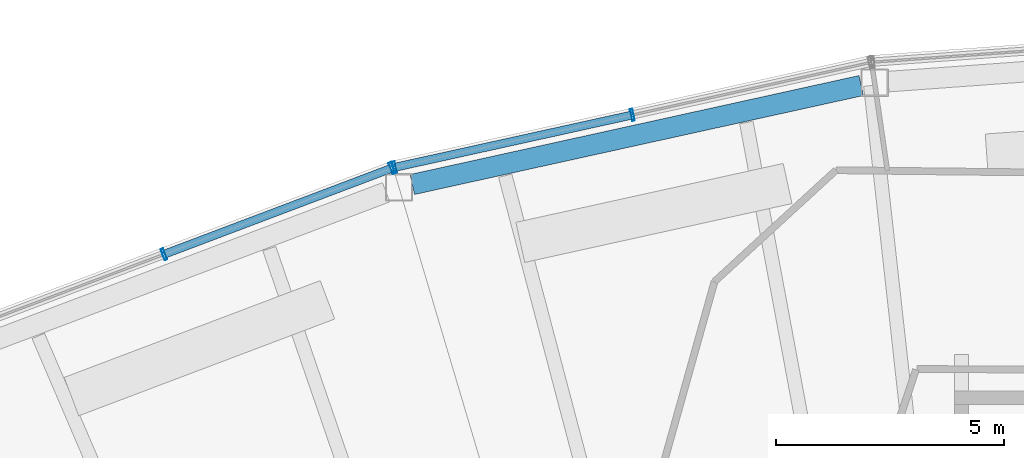
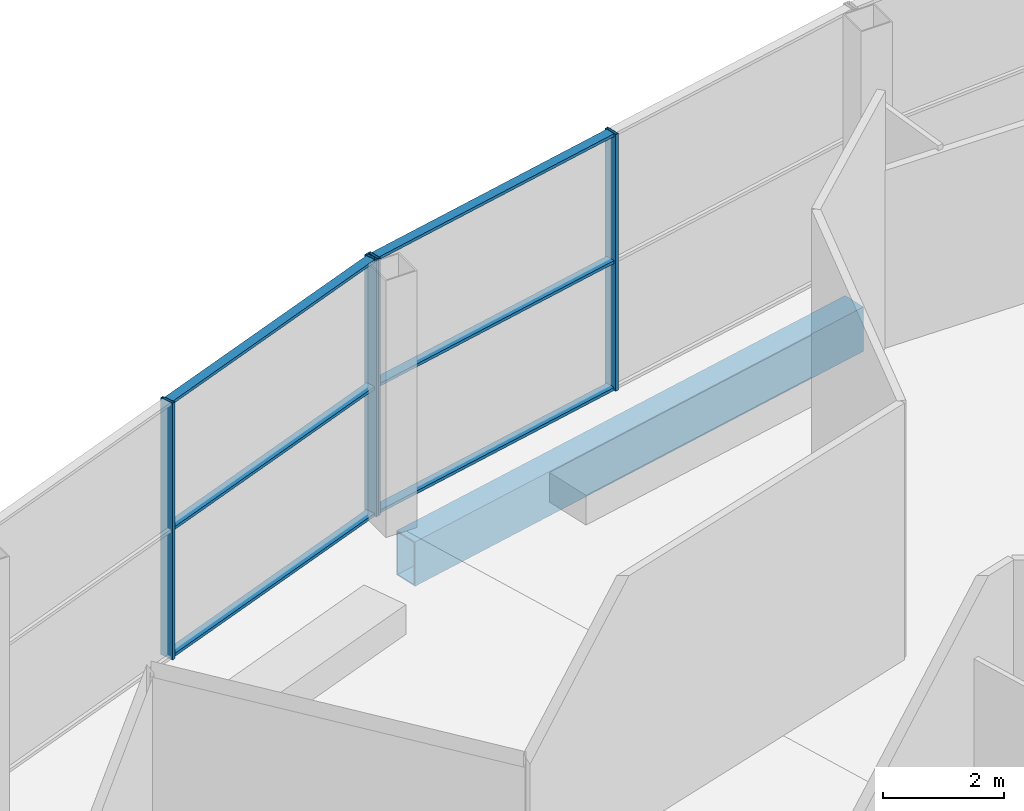
# One storey, part 16 of 44: 10 members, 1 beam, 2 elements without a shape of their own.
"""IFC4 building model written with IfcOpenShell, lengths in metres."""

import ifcopenshell
import ifcopenshell.guid

model = None  # the IFC model being written
_history = None  # IfcOwnerHistory: only IFC2X3 demands one
_inside = {}  # id of a spatial element -> (the spatial element, [elements in it])
_under = {}  # id of a project, library or spatial element -> (it, [spatial elements below it])
_declared = {}  # id of a project -> (the project, [libraries it declares])
_typed = {}  # id of a type object -> (the type object, [elements of that type])
_made_of = {}  # id of a material, layer set ... -> (it, [elements and type objects made of it])


def new_model(schema):
    """Start an empty IFC model of exactly this schema.

    Asked for "IFC4X3", IfcOpenShell would pick the latest addendum, in which some entities
    have other attributes; the version numbers below select the first issue.
    IFC2X3 requires an IfcOwnerHistory on every rooted entity: one is made here for all.
    """
    global model, _history
    if schema == "IFC4X3":
        model = ifcopenshell.file(schema_version=(4, 3, 0, 0))
    else:
        model = ifcopenshell.file(schema=schema)
    _inside.clear()
    _under.clear()
    _declared.clear()
    _typed.clear()
    _made_of.clear()
    _history = None
    if model.schema == "IFC2X3":
        org = make("IfcOrganization", Name="unknown")
        user = make(
            "IfcPersonAndOrganization",
            ThePerson=make("IfcPerson", FamilyName="unknown"),
            TheOrganization=org,
        )
        app = make(
            "IfcApplication",
            ApplicationDeveloper=org,
            Version="unknown",
            ApplicationFullName="unknown",
            ApplicationIdentifier="unknown",
        )
        _history = make(
            "IfcOwnerHistory",
            OwningUser=user,
            OwningApplication=app,
            ChangeAction="ADDED",
            CreationDate=0,
        )
    return model


def make(cls, **values):
    """One entity of the class cls with the attributes given. An attribute that is None is left unset."""
    return model.create_entity(
        cls, **{name: value for name, value in values.items() if value is not None}
    )


def rooted(cls, **values):
    """An entity with a GlobalId (a new one), such as an element, a storey or a relation."""
    return make(cls, GlobalId=ifcopenshell.guid.new(), OwnerHistory=_history, **values)


def si_unit(unit_type, name, prefix=None):
    """IfcSIUnit, for example si_unit("LENGTHUNIT", "METRE", prefix="MILLI")."""
    return make("IfcSIUnit", UnitType=unit_type, Prefix=prefix, Name=name)


def assignment(units):
    """IfcUnitAssignment: the units of a project."""
    return None if units is None else make("IfcUnitAssignment", Units=units)


def point(xyz):
    """IfcCartesianPoint."""
    return None if xyz is None else make("IfcCartesianPoint", Coordinates=xyz)


def direction(xyz):
    """IfcDirection."""
    return None if xyz is None else make("IfcDirection", DirectionRatios=xyz)


def frame(location, z_axis=None, x_axis=None):
    """IfcAxis2Placement3D, a coordinate frame: its origin and axes. An axis left out is left unset."""
    return make(
        "IfcAxis2Placement3D",
        Location=point(location),
        Axis=direction(z_axis),
        RefDirection=direction(x_axis),
    )


def frame_2d(location, x_axis=None):
    """IfcAxis2Placement2D, a coordinate frame in the plane: its origin and x axis."""
    return make(
        "IfcAxis2Placement2D", Location=point(location), RefDirection=direction(x_axis)
    )


def origin():
    """The frame at (0, 0, 0) with its axes left unset."""
    return frame((0.0, 0.0, 0.0))


def origin_2d():
    """The frame at (0, 0) in the plane with its x axis left unset."""
    return frame_2d((0.0, 0.0))


def place(relative_to, where):
    """IfcLocalPlacement: puts the frame where relative to a parent placement (None: the world)."""
    return make(
        "IfcLocalPlacement", PlacementRelTo=relative_to, RelativePlacement=where
    )


def context(
    kind, dimensions, precision=None, world=None, true_north=None, identifier=None
):
    """IfcGeometricRepresentationContext, for example the 3D "Model" context."""
    return make(
        "IfcGeometricRepresentationContext",
        ContextIdentifier=identifier,
        ContextType=kind,
        CoordinateSpaceDimension=dimensions,
        Precision=precision,
        WorldCoordinateSystem=world,
        TrueNorth=true_north,
    )


def subcontext(parent, identifier, kind, view, scale=None):
    """IfcGeometricRepresentationSubContext, for example "Body" below "Model"."""
    return make(
        "IfcGeometricRepresentationSubContext",
        ContextIdentifier=identifier,
        ContextType=kind,
        ParentContext=parent,
        TargetScale=scale,
        TargetView=view,
    )


def project(units=None, contexts=None):
    """IfcProject with its units and contexts."""
    return rooted(
        "IfcProject",
        Name="project",
        RepresentationContexts=contexts,
        UnitsInContext=assignment(units),
    )


def spatial(cls, under=None, at=None, **own):
    """A site, building, storey or space (cls), placed at a placement, below another one or the project."""
    s = rooted(cls, ObjectPlacement=at, **own)
    if under is not None:
        _under.setdefault(under.id(), (under, []))[1].append(s)
    return s


def profile(cls, at=None, kind="AREA", **sizes):
    """A parametric profile (cls). Its sizes go by their IFC names, for example OverallWidth=200.0."""
    return make(cls, ProfileType=kind, Position=at, **sizes)


def hollow_rectangle(**sizes):
    """IfcRectangleHollowProfileDef."""
    return profile("IfcRectangleHollowProfileDef", **sizes)


def extrude(swept, where, along, depth):
    """IfcExtrudedAreaSolid: the profile swept, set in the frame where, extruded along a direction by depth."""
    return make(
        "IfcExtrudedAreaSolid",
        SweptArea=swept,
        Position=where,
        ExtrudedDirection=direction(along),
        Depth=depth,
    )


def shape(context_of_items, identifier, shape_type, items):
    """IfcShapeRepresentation: the items that make up one representation, for example the "Body"."""
    return make(
        "IfcShapeRepresentation",
        ContextOfItems=context_of_items,
        RepresentationIdentifier=identifier,
        RepresentationType=shape_type,
        Items=items,
    )


def material(Name=None, Category=None):
    """IfcMaterial."""
    return make("IfcMaterial", Name=Name, Category=Category)


def layer(
    of_material, thickness, ventilated=None, Name=None, Category=None, Priority=None
):
    """IfcMaterialLayer: one layer of a wall or slab, of a material (None: an air gap)."""
    return make(
        "IfcMaterialLayer",
        Material=of_material,
        LayerThickness=thickness,
        IsVentilated=ventilated,
        Name=Name,
        Category=Category,
        Priority=Priority,
    )


def layer_set(layers, Name=None):
    """IfcMaterialLayerSet."""
    return make("IfcMaterialLayerSet", MaterialLayers=layers, LayerSetName=Name)


def material_profile(
    of_material, cross_section, Name=None, Category=None, Priority=None
):
    """IfcMaterialProfile: a cross section and its material."""
    return make(
        "IfcMaterialProfile",
        Name=Name,
        Material=of_material,
        Profile=cross_section,
        Priority=Priority,
        Category=Category,
    )


def profile_set(profiles, Name=None, composite=None):
    """IfcMaterialProfileSet."""
    return make(
        "IfcMaterialProfileSet",
        Name=Name,
        MaterialProfiles=profiles,
        CompositeProfile=composite,
    )


def made_of(thing, what):
    """Note that an element or type object is made of a material, layer set ...; save() writes the relation."""
    if what is not None:
        _made_of.setdefault(what.id(), (what, []))[1].append(thing)
    return thing


def type_object(cls, material=None, **own):
    """A type object (cls), such as IfcWallType, which elements share."""
    return made_of(rooted(cls, **own), material)


def element(
    cls,
    number,
    at=None,
    inside=None,
    cuts=None,
    type_object=None,
    material=None,
    context=None,
    identifier="Body",
    shape_type=None,
    held_by="IfcProductDefinitionShape",
    body=None,
    shapes=None,
    **own,
):
    """One element of the class cls, such as IfcWall. Its Tag is "e" and its number.

    at: its placement. inside: the storey or other place that contains it. cuts: it is an
    opening in that element (IfcRelVoidsElement). A single representation is given by context,
    identifier, shape_type and body (its items); several are given by shapes. held_by: the class
    of the entity that holds the representations. save() writes the other relations.
    """
    e = rooted(cls, Tag="e%d" % number, ObjectPlacement=at, **own)
    if body is not None:
        shapes = [shape(context, identifier, shape_type, body)]
    if shapes is not None:
        e.Representation = make(held_by, Representations=shapes)
    if inside is not None:
        _inside.setdefault(inside.id(), (inside, []))[1].append(e)
    if cuts is not None:
        rooted(
            "IfcRelVoidsElement", RelatingBuildingElement=cuts, RelatedOpeningElement=e
        )
    if type_object is not None:
        _typed.setdefault(type_object.id(), (type_object, []))[1].append(e)
    return made_of(e, material)


def aggregate(whole, parts):
    """IfcRelAggregates: a whole, such as a stair, and the parts it consists of."""
    return rooted("IfcRelAggregates", RelatingObject=whole, RelatedObjects=parts)


def save(model, path):
    """Write the relations noted so far, then the file.

    IfcRelAggregates (storeys below a building ...), IfcRelContainedInSpatialStructure (elements
    in a storey), IfcRelDefinesByType, IfcRelAssociatesMaterial and IfcRelDeclares: one each for
    every whole, place, type object, material and project.
    """
    for whole, parts in _under.values():
        aggregate(whole, parts)
    for where, things in _inside.values():
        rooted(
            "IfcRelContainedInSpatialStructure",
            RelatedElements=things,
            RelatingStructure=where,
        )
    for kind, things in _typed.values():
        rooted("IfcRelDefinesByType", RelatedObjects=things, RelatingType=kind)
    for what, things in _made_of.values():
        rooted("IfcRelAssociatesMaterial", RelatedObjects=things, RelatingMaterial=what)
    for by, libraries in _declared.values():
        rooted("IfcRelDeclares", RelatingContext=by, RelatedDefinitions=libraries)
    model.write(path)


model = new_model("IFC4")

# Units and contexts
model_context = context("Model", 3, precision=1e-05, world=origin(), true_north=direction((0.0, 1.0)))
body_context = subcontext(model_context, "Body", "Model", "MODEL_VIEW")
ifc_project = project(units=[si_unit("LENGTHUNIT", "METRE"), si_unit("AREAUNIT", "SQUARE_METRE"), si_unit("VOLUMEUNIT", "CUBIC_METRE"), si_unit("PLANEANGLEUNIT", "RADIAN"), si_unit("MASSUNIT", "GRAM", prefix="KILO")], contexts=[model_context])

# Site, building, storey
site_placement = place(None, origin())
site = spatial("IfcSite", under=ifc_project, at=site_placement, CompositionType="ELEMENT")
building_placement = place(site_placement, origin())
building = spatial("IfcBuilding", under=site, at=building_placement, Name="Tuul Gate Civic Tower", CompositionType="ELEMENT")
storey_placement = place(building_placement, frame((0.0, 0.0, 354.60009765625)))
storey = spatial("IfcBuildingStorey", under=building, at=storey_placement, Name="Observation level 2", CompositionType="ELEMENT", Elevation=354.60009765625)

# Curtain wall, members
ifc_material_1 = material(Name="Stainless steel", Category="steel")
ifc_layer = layer(ifc_material_1, 0.199951171875)
ifc_layer_set = layer_set([ifc_layer], Name="Stainless steel")
curtain_wall_type = type_object("IfcCurtainWallType", Name="Curtain wall CW4", PredefinedType="NOTDEFINED", material=ifc_layer_set)
curtain_wall_1_placement = place(storey_placement, origin())
curtain_wall_1 = element("IfcCurtainWall", 1, at=curtain_wall_1_placement, inside=storey, type_object=curtain_wall_type, Name="Curtain wall CW4", PredefinedType="NOTDEFINED")
ifc_material_2 = material(Name="Stainless steel", Category="steel")
ifc_material_profile_1 = material_profile(ifc_material_2, hollow_rectangle(XDim=0.260009765625, YDim=0.06005859375, WallThickness=0.006103515625, at=origin_2d()), Name="CW4 mullion")
ifc_profile_set_1 = profile_set([ifc_material_profile_1], Name="Stainless steel")
member_type_1 = type_object("IfcMemberType", Name="CW4 mullion", PredefinedType="MULLION", material=ifc_profile_set_1)
member_1_placement = place(storey_placement, frame((-13.767578125, 12.346923828125, 0.0), z_axis=(0.0, 0.0, 1.0), x_axis=(0.215215147882, -0.976566659334, 0.0)))
member_1 = element("IfcMember", 2, at=member_1_placement, type_object=member_type_1, Name="Mullion", PredefinedType="MULLION", context=body_context, shape_type="SweptSolid", body=[
    extrude(hollow_rectangle(XDim=0.260009765625, YDim=0.06005859375, WallThickness=0.006103515625, at=origin_2d()), origin(), (0.0, 0.0, 1.0), 5.199951171875),
])
member_2_placement = place(storey_placement, frame((-18.983642578125, 11.197509765625, 0.0), z_axis=(0.0, 0.0, 1.0), x_axis=(0.215215147882, -0.976566659334, 0.0)))
member_2 = element("IfcMember", 3, at=member_2_placement, type_object=member_type_1, Name="Mullion", PredefinedType="MULLION", context=body_context, shape_type="SweptSolid", body=[
    extrude(hollow_rectangle(XDim=0.260009765625, YDim=0.06005859375, WallThickness=0.006103515625, at=origin_2d()), origin(), (0.0, 0.0, 1.0), 5.199951171875),
])

curtain_wall_2_placement = place(storey_placement, origin())
curtain_wall_2 = element("IfcCurtainWall", 4, at=curtain_wall_2_placement, inside=storey, type_object=curtain_wall_type, Name="Curtain wall CW4", PredefinedType="NOTDEFINED")
member_3_placement = place(storey_placement, frame((-19.041015625, 11.180419921875, 0.0), z_axis=(0.0, 0.0, 1.0), x_axis=(0.35373363489, -0.935346200905, 0.0)))
member_3 = element("IfcMember", 5, at=member_3_placement, type_object=member_type_1, Name="Mullion", PredefinedType="MULLION", context=body_context, shape_type="SweptSolid", body=[
    extrude(hollow_rectangle(XDim=0.260009765625, YDim=0.06005859375, WallThickness=0.006103515625, at=origin_2d()), origin(), (0.0, 0.0, 1.0), 5.199951171875),
])
member_4_placement = place(storey_placement, frame((-24.037109375, 9.291015625, 0.0), z_axis=(0.0, 0.0, 1.0), x_axis=(0.35373363489, -0.935346200905, 0.0)))
member_4 = element("IfcMember", 6, at=member_4_placement, type_object=member_type_1, Name="Mullion", PredefinedType="MULLION", context=body_context, shape_type="SweptSolid", body=[
    extrude(hollow_rectangle(XDim=0.260009765625, YDim=0.06005859375, WallThickness=0.006103515625, at=origin_2d()), origin(), (0.0, 0.0, 1.0), 5.199951171875),
])

# Member
ifc_material_3 = material(Name="Stainless steel", Category="steel")
ifc_material_profile_2 = material_profile(ifc_material_3, hollow_rectangle(XDim=0.179931640625, YDim=0.06005859375, WallThickness=0.006103515625, at=origin_2d()), Name="CW4 transom")
ifc_profile_set_2 = profile_set([ifc_material_profile_2], Name="Stainless steel")
member_type_2 = type_object("IfcMemberType", Name="CW4 transom", PredefinedType="USERDEFINED", material=ifc_profile_set_2)
member_5_placement = place(storey_placement, frame((-13.796875, 12.340576171875, 0.02978515625), z_axis=(-0.976561939661, -0.215236562891, 0.0), x_axis=(0.215236562891, -0.976561939661, 0.0)))
member_5 = element("IfcMember", 7, at=member_5_placement, type_object=member_type_2, Name="Transom", ObjectType="TRANSOM", PredefinedType="USERDEFINED", context=body_context, shape_type="SweptSolid", body=[
    extrude(hollow_rectangle(XDim=0.179931640625, YDim=0.06005859375, WallThickness=0.006103515625, at=origin_2d()), origin(), (0.0, 0.0, 1.0), 5.28125),
])

member_6_placement = place(storey_placement, frame((-13.796875, 12.340576171875, 2.599853515625), z_axis=(-0.976561939661, -0.215236562891, 0.0), x_axis=(0.215236562891, -0.976561939661, 0.0)))
member_6 = element("IfcMember", 8, at=member_6_placement, type_object=member_type_2, Name="Transom", ObjectType="TRANSOM", PredefinedType="USERDEFINED", context=body_context, shape_type="SweptSolid", body=[
    extrude(hollow_rectangle(XDim=0.179931640625, YDim=0.06005859375, WallThickness=0.006103515625, at=origin_2d()), origin(), (0.0, 0.0, 1.0), 5.28125),
])

member_7_placement = place(storey_placement, frame((-13.796875, 12.340576171875, 5.169921875), z_axis=(-0.976561939661, -0.215236562891, 0.0), x_axis=(0.215236562891, -0.976561939661, 0.0)))
member_7 = element("IfcMember", 9, at=member_7_placement, type_object=member_type_2, Name="Transom", ObjectType="TRANSOM", PredefinedType="USERDEFINED", context=body_context, shape_type="SweptSolid", body=[
    extrude(hollow_rectangle(XDim=0.179931640625, YDim=0.06005859375, WallThickness=0.006103515625, at=origin_2d()), origin(), (0.0, 0.0, 1.0), 5.28125),
])

aggregate(curtain_wall_1, [member_1, member_2, member_5, member_6, member_7])

member_8_placement = place(storey_placement, frame((-19.069091796875, 11.169677734375, 0.02978515625), z_axis=(-0.93534909907, -0.353725971438, 0.0), x_axis=(0.353725971438, -0.93534909907, 0.0)))
member_8 = element("IfcMember", 10, at=member_8_placement, type_object=member_type_2, Name="Transom", ObjectType="TRANSOM", PredefinedType="USERDEFINED", context=body_context, shape_type="SweptSolid", body=[
    extrude(hollow_rectangle(XDim=0.179931640625, YDim=0.06005859375, WallThickness=0.006103515625, at=origin_2d()), origin(), (0.0, 0.0, 1.0), 5.281494140625),
])

member_9_placement = place(storey_placement, frame((-19.069091796875, 11.169677734375, 2.599853515625), z_axis=(-0.93534909907, -0.353725971438, 0.0), x_axis=(0.353725971438, -0.93534909907, 0.0)))
member_9 = element("IfcMember", 11, at=member_9_placement, type_object=member_type_2, Name="Transom", ObjectType="TRANSOM", PredefinedType="USERDEFINED", context=body_context, shape_type="SweptSolid", body=[
    extrude(hollow_rectangle(XDim=0.179931640625, YDim=0.06005859375, WallThickness=0.006103515625, at=origin_2d()), origin(), (0.0, 0.0, 1.0), 5.281494140625),
])

member_10_placement = place(storey_placement, frame((-19.069091796875, 11.169677734375, 5.169921875), z_axis=(-0.93534909907, -0.353725971438, 0.0), x_axis=(0.353725971438, -0.93534909907, 0.0)))
member_10 = element("IfcMember", 12, at=member_10_placement, type_object=member_type_2, Name="Transom", ObjectType="TRANSOM", PredefinedType="USERDEFINED", context=body_context, shape_type="SweptSolid", body=[
    extrude(hollow_rectangle(XDim=0.179931640625, YDim=0.06005859375, WallThickness=0.006103515625, at=origin_2d()), origin(), (0.0, 0.0, 1.0), 5.281494140625),
])

aggregate(curtain_wall_2, [member_3, member_4, member_8, member_9, member_10])

# Beam
ifc_material_4 = material(Name="Steel S355", Category="steel")
ifc_material_profile_3 = material_profile(ifc_material_4, hollow_rectangle(XDim=0.449951171875, YDim=0.89990234375, WallThickness=0.02490234375, at=origin_2d()), Name="BOX900x450x25")
ifc_profile_set_3 = profile_set([ifc_material_profile_3], Name="Steel S355")
beam_type = type_object("IfcBeamType", Name="STR-SPANDREL BEAM-BOX900x450x25", PredefinedType="BEAM", material=ifc_profile_set_3)
beam_placement = place(storey_placement, frame((-8.75, 12.991455078125, -0.85009765625), z_axis=(-0.97656744164, -0.215211598034, 0.0), x_axis=(0.215211598034, -0.97656744164, 0.0)))
element("IfcBeam", 13, at=beam_placement, inside=storey, type_object=beam_type, Name="Spandrel beam", PredefinedType="BEAM", context=body_context, shape_type="SweptSolid", body=[
    extrude(hollow_rectangle(XDim=0.449951171875, YDim=0.89990234375, WallThickness=0.02490234375, at=origin_2d()), origin(), (0.0, 0.0, 1.0), 10.078125),
])

save(model, "model.ifc")
